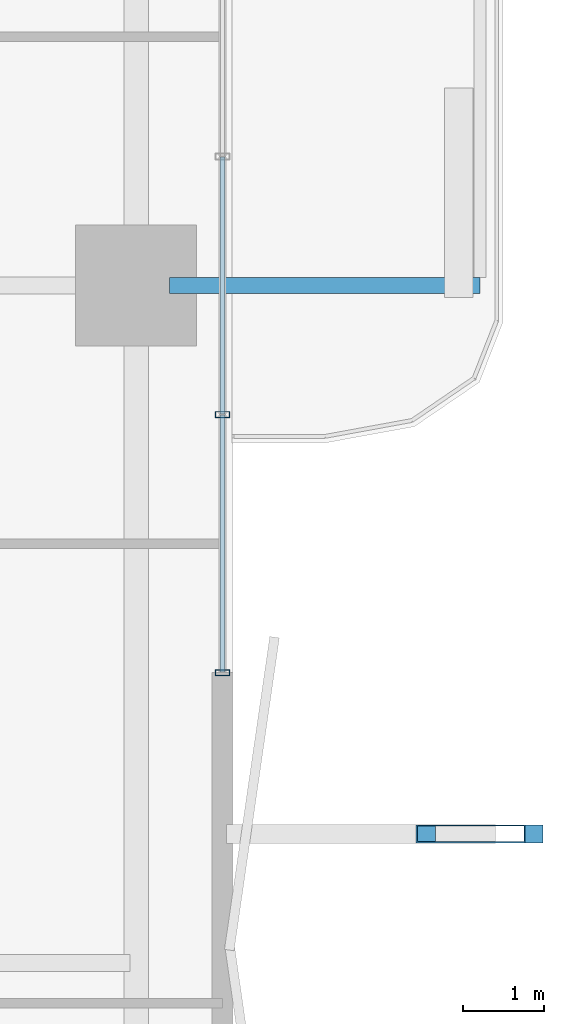
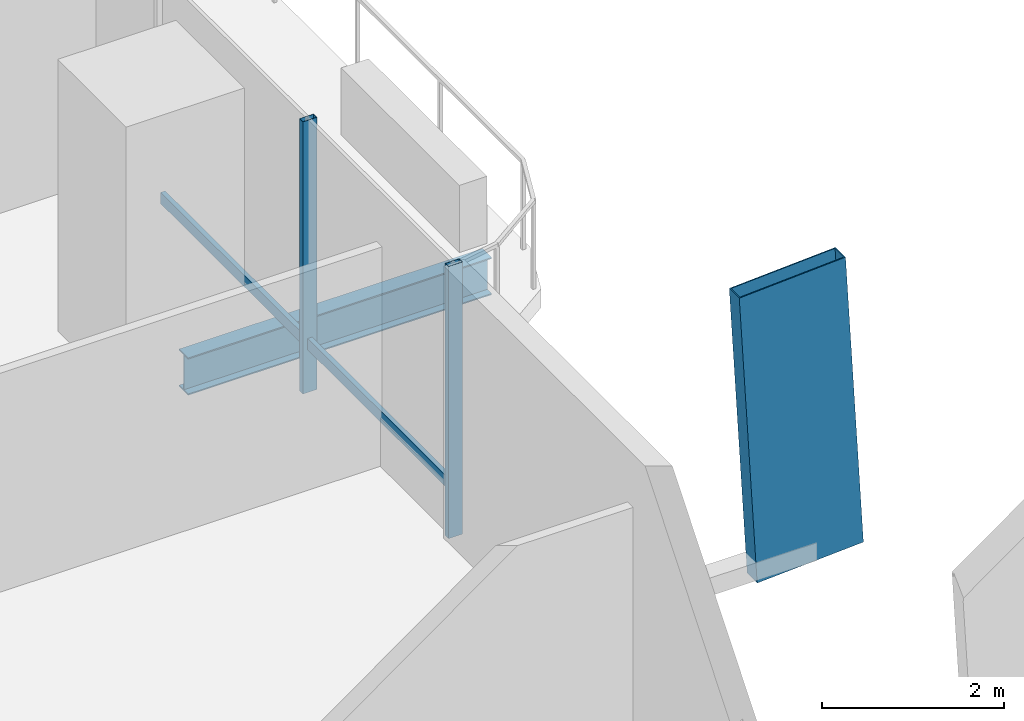
# One storey, part 8 of 24: 5 members, 1 beam, 1 element without a shape of its own.
"""IFC4 building model written with IfcOpenShell, lengths in metres."""

import ifcopenshell
import ifcopenshell.guid

model = None  # the IFC model being written
_history = None  # IfcOwnerHistory: only IFC2X3 demands one
_inside = {}  # id of a spatial element -> (the spatial element, [elements in it])
_under = {}  # id of a project, library or spatial element -> (it, [spatial elements below it])
_declared = {}  # id of a project -> (the project, [libraries it declares])
_typed = {}  # id of a type object -> (the type object, [elements of that type])
_made_of = {}  # id of a material, layer set ... -> (it, [elements and type objects made of it])


def new_model(schema):
    """Start an empty IFC model of exactly this schema.

    Asked for "IFC4X3", IfcOpenShell would pick the latest addendum, in which some entities
    have other attributes; the version numbers below select the first issue.
    IFC2X3 requires an IfcOwnerHistory on every rooted entity: one is made here for all.
    """
    global model, _history
    if schema == "IFC4X3":
        model = ifcopenshell.file(schema_version=(4, 3, 0, 0))
    else:
        model = ifcopenshell.file(schema=schema)
    _inside.clear()
    _under.clear()
    _declared.clear()
    _typed.clear()
    _made_of.clear()
    _history = None
    if model.schema == "IFC2X3":
        org = make("IfcOrganization", Name="unknown")
        user = make(
            "IfcPersonAndOrganization",
            ThePerson=make("IfcPerson", FamilyName="unknown"),
            TheOrganization=org,
        )
        app = make(
            "IfcApplication",
            ApplicationDeveloper=org,
            Version="unknown",
            ApplicationFullName="unknown",
            ApplicationIdentifier="unknown",
        )
        _history = make(
            "IfcOwnerHistory",
            OwningUser=user,
            OwningApplication=app,
            ChangeAction="ADDED",
            CreationDate=0,
        )
    return model


def make(cls, **values):
    """One entity of the class cls with the attributes given. An attribute that is None is left unset."""
    return model.create_entity(
        cls, **{name: value for name, value in values.items() if value is not None}
    )


def rooted(cls, **values):
    """An entity with a GlobalId (a new one), such as an element, a storey or a relation."""
    return make(cls, GlobalId=ifcopenshell.guid.new(), OwnerHistory=_history, **values)


def si_unit(unit_type, name, prefix=None):
    """IfcSIUnit, for example si_unit("LENGTHUNIT", "METRE", prefix="MILLI")."""
    return make("IfcSIUnit", UnitType=unit_type, Prefix=prefix, Name=name)


def assignment(units):
    """IfcUnitAssignment: the units of a project."""
    return None if units is None else make("IfcUnitAssignment", Units=units)


def point(xyz):
    """IfcCartesianPoint."""
    return None if xyz is None else make("IfcCartesianPoint", Coordinates=xyz)


def direction(xyz):
    """IfcDirection."""
    return None if xyz is None else make("IfcDirection", DirectionRatios=xyz)


def frame(location, z_axis=None, x_axis=None):
    """IfcAxis2Placement3D, a coordinate frame: its origin and axes. An axis left out is left unset."""
    return make(
        "IfcAxis2Placement3D",
        Location=point(location),
        Axis=direction(z_axis),
        RefDirection=direction(x_axis),
    )


def frame_2d(location, x_axis=None):
    """IfcAxis2Placement2D, a coordinate frame in the plane: its origin and x axis."""
    return make(
        "IfcAxis2Placement2D", Location=point(location), RefDirection=direction(x_axis)
    )


def origin():
    """The frame at (0, 0, 0) with its axes left unset."""
    return frame((0.0, 0.0, 0.0))


def origin_2d():
    """The frame at (0, 0) in the plane with its x axis left unset."""
    return frame_2d((0.0, 0.0))


def place(relative_to, where):
    """IfcLocalPlacement: puts the frame where relative to a parent placement (None: the world)."""
    return make(
        "IfcLocalPlacement", PlacementRelTo=relative_to, RelativePlacement=where
    )


def context(
    kind, dimensions, precision=None, world=None, true_north=None, identifier=None
):
    """IfcGeometricRepresentationContext, for example the 3D "Model" context."""
    return make(
        "IfcGeometricRepresentationContext",
        ContextIdentifier=identifier,
        ContextType=kind,
        CoordinateSpaceDimension=dimensions,
        Precision=precision,
        WorldCoordinateSystem=world,
        TrueNorth=true_north,
    )


def subcontext(parent, identifier, kind, view, scale=None):
    """IfcGeometricRepresentationSubContext, for example "Body" below "Model"."""
    return make(
        "IfcGeometricRepresentationSubContext",
        ContextIdentifier=identifier,
        ContextType=kind,
        ParentContext=parent,
        TargetScale=scale,
        TargetView=view,
    )


def project(units=None, contexts=None):
    """IfcProject with its units and contexts."""
    return rooted(
        "IfcProject",
        Name="project",
        RepresentationContexts=contexts,
        UnitsInContext=assignment(units),
    )


def spatial(cls, under=None, at=None, **own):
    """A site, building, storey or space (cls), placed at a placement, below another one or the project."""
    s = rooted(cls, ObjectPlacement=at, **own)
    if under is not None:
        _under.setdefault(under.id(), (under, []))[1].append(s)
    return s


def profile(cls, at=None, kind="AREA", **sizes):
    """A parametric profile (cls). Its sizes go by their IFC names, for example OverallWidth=200.0."""
    return make(cls, ProfileType=kind, Position=at, **sizes)


def hollow_rectangle(**sizes):
    """IfcRectangleHollowProfileDef."""
    return profile("IfcRectangleHollowProfileDef", **sizes)


def i_section(**sizes):
    """IfcIShapeProfileDef."""
    return profile("IfcIShapeProfileDef", **sizes)


def extrude(swept, where, along, depth):
    """IfcExtrudedAreaSolid: the profile swept, set in the frame where, extruded along a direction by depth."""
    return make(
        "IfcExtrudedAreaSolid",
        SweptArea=swept,
        Position=where,
        ExtrudedDirection=direction(along),
        Depth=depth,
    )


def shape(context_of_items, identifier, shape_type, items):
    """IfcShapeRepresentation: the items that make up one representation, for example the "Body"."""
    return make(
        "IfcShapeRepresentation",
        ContextOfItems=context_of_items,
        RepresentationIdentifier=identifier,
        RepresentationType=shape_type,
        Items=items,
    )


def material(Name=None, Category=None):
    """IfcMaterial."""
    return make("IfcMaterial", Name=Name, Category=Category)


def layer(
    of_material, thickness, ventilated=None, Name=None, Category=None, Priority=None
):
    """IfcMaterialLayer: one layer of a wall or slab, of a material (None: an air gap)."""
    return make(
        "IfcMaterialLayer",
        Material=of_material,
        LayerThickness=thickness,
        IsVentilated=ventilated,
        Name=Name,
        Category=Category,
        Priority=Priority,
    )


def layer_set(layers, Name=None):
    """IfcMaterialLayerSet."""
    return make("IfcMaterialLayerSet", MaterialLayers=layers, LayerSetName=Name)


def material_profile(
    of_material, cross_section, Name=None, Category=None, Priority=None
):
    """IfcMaterialProfile: a cross section and its material."""
    return make(
        "IfcMaterialProfile",
        Name=Name,
        Material=of_material,
        Profile=cross_section,
        Priority=Priority,
        Category=Category,
    )


def profile_set(profiles, Name=None, composite=None):
    """IfcMaterialProfileSet."""
    return make(
        "IfcMaterialProfileSet",
        Name=Name,
        MaterialProfiles=profiles,
        CompositeProfile=composite,
    )


def made_of(thing, what):
    """Note that an element or type object is made of a material, layer set ...; save() writes the relation."""
    if what is not None:
        _made_of.setdefault(what.id(), (what, []))[1].append(thing)
    return thing


def type_object(cls, material=None, **own):
    """A type object (cls), such as IfcWallType, which elements share."""
    return made_of(rooted(cls, **own), material)


def element(
    cls,
    number,
    at=None,
    inside=None,
    cuts=None,
    type_object=None,
    material=None,
    context=None,
    identifier="Body",
    shape_type=None,
    held_by="IfcProductDefinitionShape",
    body=None,
    shapes=None,
    **own,
):
    """One element of the class cls, such as IfcWall. Its Tag is "e" and its number.

    at: its placement. inside: the storey or other place that contains it. cuts: it is an
    opening in that element (IfcRelVoidsElement). A single representation is given by context,
    identifier, shape_type and body (its items); several are given by shapes. held_by: the class
    of the entity that holds the representations. save() writes the other relations.
    """
    e = rooted(cls, Tag="e%d" % number, ObjectPlacement=at, **own)
    if body is not None:
        shapes = [shape(context, identifier, shape_type, body)]
    if shapes is not None:
        e.Representation = make(held_by, Representations=shapes)
    if inside is not None:
        _inside.setdefault(inside.id(), (inside, []))[1].append(e)
    if cuts is not None:
        rooted(
            "IfcRelVoidsElement", RelatingBuildingElement=cuts, RelatedOpeningElement=e
        )
    if type_object is not None:
        _typed.setdefault(type_object.id(), (type_object, []))[1].append(e)
    return made_of(e, material)


def aggregate(whole, parts):
    """IfcRelAggregates: a whole, such as a stair, and the parts it consists of."""
    return rooted("IfcRelAggregates", RelatingObject=whole, RelatedObjects=parts)


def save(model, path):
    """Write the relations noted so far, then the file.

    IfcRelAggregates (storeys below a building ...), IfcRelContainedInSpatialStructure (elements
    in a storey), IfcRelDefinesByType, IfcRelAssociatesMaterial and IfcRelDeclares: one each for
    every whole, place, type object, material and project.
    """
    for whole, parts in _under.values():
        aggregate(whole, parts)
    for where, things in _inside.values():
        rooted(
            "IfcRelContainedInSpatialStructure",
            RelatedElements=things,
            RelatingStructure=where,
        )
    for kind, things in _typed.values():
        rooted("IfcRelDefinesByType", RelatedObjects=things, RelatingType=kind)
    for what, things in _made_of.values():
        rooted("IfcRelAssociatesMaterial", RelatedObjects=things, RelatingMaterial=what)
    for by, libraries in _declared.values():
        rooted("IfcRelDeclares", RelatingContext=by, RelatedDefinitions=libraries)
    model.write(path)


model = new_model("IFC4")

# Units and contexts
model_context = context("Model", 3, precision=1e-05, world=origin(), true_north=direction((0.0, 1.0)))
body_context = subcontext(model_context, "Body", "Model", "MODEL_VIEW")
ifc_project = project(units=[si_unit("LENGTHUNIT", "METRE"), si_unit("AREAUNIT", "SQUARE_METRE"), si_unit("VOLUMEUNIT", "CUBIC_METRE"), si_unit("PLANEANGLEUNIT", "RADIAN"), si_unit("MASSUNIT", "GRAM", prefix="KILO")], contexts=[model_context])

# Site, building, storey
site_placement = place(None, origin())
site = spatial("IfcSite", under=ifc_project, at=site_placement, CompositionType="ELEMENT")
building_placement = place(site_placement, origin())
building = spatial("IfcBuilding", under=site, at=building_placement, Name="Belovzor Exchange Tower", CompositionType="ELEMENT")
storey_placement = place(building_placement, frame((0.0, 0.0, 37.800048828125)))
storey = spatial("IfcBuildingStorey", under=building, at=storey_placement, Name="L08", CompositionType="ELEMENT", Elevation=37.800048828125)

# Member
ifc_material_1 = material(Name="Extruded Architectural Terracotta on Steel S355 Carrier", Category="masonry")
ifc_material_profile_1 = material_profile(ifc_material_1, hollow_rectangle(XDim=0.219970703125, YDim=1.35009765625, WallThickness=0.013916015625, at=origin_2d()))
ifc_profile_set_1 = profile_set([ifc_material_profile_1], Name="Extruded Architectural Terracotta on Steel S355 Carrier")
member_type_1 = type_object("IfcMemberType", Name="Base Arc Sweeping Terracotta Pylon Fin 1450", PredefinedType="USERDEFINED", material=ifc_profile_set_1)
member_1_placement = place(storey_placement, frame((59.873046875, 22.0, -0.25), z_axis=(-0.058121188646, 0.0, 0.998309534879), x_axis=(0.0, -1.0, 0.0)))
element("IfcMember", 1, at=member_1_placement, inside=storey, type_object=member_type_1, Name="FIN-TC145 Terracotta Facade Fin L08 E2", ObjectType="FIN", PredefinedType="USERDEFINED", context=body_context, shape_type="SweptSolid", body=[
    extrude(hollow_rectangle(XDim=0.219970703125, YDim=1.35009765625, WallThickness=0.013916015625, at=origin_2d()), origin(), (0.0, 0.0, 1.0), 3.906494140625),
])

# Beam
ifc_material_2 = material(Name="Steel S355", Category="steel")
ifc_material_profile_2 = material_profile(ifc_material_2, i_section(OverallWidth=0.199951171875, OverallDepth=0.5, WebThickness=0.01025390625, FlangeThickness=0.01611328125, at=origin_2d()))
ifc_profile_set_2 = profile_set([ifc_material_profile_2], Name="Steel S355")
beam_type = type_object("IfcBeamType", Name="Planted Balcony Cantilever Beam IPE 500", PredefinedType="BEAM", material=ifc_profile_set_2)
beam_placement = place(storey_placement, frame((55.9130859375, 28.800048828125, -0.5), z_axis=(1.0, 0.0, 0.0), x_axis=(0.0, 1.0, 0.0)))
element("IfcBeam", 2, at=beam_placement, inside=storey, type_object=beam_type, Name="BC-500 Planted Balcony Cantilever Beam IPE 500", PredefinedType="BEAM", context=body_context, shape_type="SweptSolid", body=[
    extrude(i_section(OverallWidth=0.199951171875, OverallDepth=0.5, WebThickness=0.01025390625, FlangeThickness=0.01611328125, at=origin_2d()), origin(), (0.0, 0.0, 1.0), 3.849853515625),
])

# Curtain wall, members
ifc_material_3 = material(Name="Anodised Aluminium Framing", Category="aluminium")
ifc_layer = layer(ifc_material_3, 0.179931640625)
ifc_layer_set = layer_set([ifc_layer], Name="Anodised Aluminium Framing")
curtain_wall_type = type_object("IfcCurtainWallType", Name="Recessed Loggia Low-Iron Triple-Glazed Curtain Wall", PredefinedType="NOTDEFINED", material=ifc_layer_set)
curtain_wall_placement = place(storey_placement, origin())
curtain_wall = element("IfcCurtainWall", 3, at=curtain_wall_placement, inside=storey, type_object=curtain_wall_type, Name="CW3 Recessed Loggia Low-Iron Triple-Glazed Curtain Wall L08", PredefinedType="NOTDEFINED")
ifc_material_4 = material(Name="Steel S355", Category="steel")
ifc_material_profile_3 = material_profile(ifc_material_4, hollow_rectangle(XDim=0.074951171875, YDim=0.179931640625, WallThickness=0.0048828125, at=origin_2d()))
ifc_profile_set_3 = profile_set([ifc_material_profile_3], Name="Steel S355")
member_type_2 = type_object("IfcMemberType", Name="Thermally Broken Curtain Wall Mullion 180x75", PredefinedType="MULLION", material=ifc_profile_set_3)
member_2_placement = place(storey_placement, frame((56.570068359375, 27.199951171875, 0.0), z_axis=(0.0, 0.0, 1.0), x_axis=(0.0, -1.0, 0.0)))
member_2 = element("IfcMember", 4, at=member_2_placement, type_object=member_type_2, Name="CW-M180 Curtain Wall Mullion 3", PredefinedType="MULLION", context=body_context, shape_type="SweptSolid", body=[
    extrude(hollow_rectangle(XDim=0.074951171875, YDim=0.179931640625, WallThickness=0.0048828125, at=origin_2d()), origin(), (0.0, 0.0, 1.0), 3.64990234375),
])
member_3_placement = place(storey_placement, frame((56.570068359375, 24.0, 0.0), z_axis=(0.0, 0.0, 1.0), x_axis=(0.0, -1.0, 0.0)))
member_3 = element("IfcMember", 5, at=member_3_placement, type_object=member_type_2, Name="CW-M180 Curtain Wall Mullion 4", PredefinedType="MULLION", context=body_context, shape_type="SweptSolid", body=[
    extrude(hollow_rectangle(XDim=0.074951171875, YDim=0.179931640625, WallThickness=0.0048828125, at=origin_2d()), origin(), (0.0, 0.0, 1.0), 3.64990234375),
])
ifc_material_5 = material(Name="Steel S355", Category="steel")
ifc_material_profile_4 = material_profile(ifc_material_5, hollow_rectangle(XDim=0.06005859375, YDim=0.14990234375, WallThickness=0.00390625, at=origin_2d()))
ifc_profile_set_4 = profile_set([ifc_material_profile_4], Name="Steel S355")
member_type_3 = type_object("IfcMemberType", Name="Thermally Broken Curtain Wall Transom 150x60", PredefinedType="USERDEFINED", material=ifc_profile_set_4)
member_4_placement = place(storey_placement, frame((56.570068359375, 30.39208984375, 0.64990234375), z_axis=(0.0, -1.0, 0.0), x_axis=(1.0, 0.0, 0.0)))
member_4 = element("IfcMember", 6, at=member_4_placement, type_object=member_type_3, Name="CW-T150 Curtain Wall Transom 2", ObjectType="TRANSOM", PredefinedType="USERDEFINED", context=body_context, shape_type="SweptSolid", body=[
    extrude(hollow_rectangle(XDim=0.06005859375, YDim=0.14990234375, WallThickness=0.00390625, at=origin_2d()), origin(), (0.0, 0.0, 1.0), 3.18408203125),
])
member_5_placement = place(storey_placement, frame((56.570068359375, 27.19189453125, 0.64990234375), z_axis=(0.0, -1.0, 0.0), x_axis=(1.0, 0.0, 0.0)))
member_5 = element("IfcMember", 7, at=member_5_placement, type_object=member_type_3, Name="CW-T150 Curtain Wall Transom 3", ObjectType="TRANSOM", PredefinedType="USERDEFINED", context=body_context, shape_type="SweptSolid", body=[
    extrude(hollow_rectangle(XDim=0.06005859375, YDim=0.14990234375, WallThickness=0.00390625, at=origin_2d()), origin(), (0.0, 0.0, 1.0), 3.183837890625),
])
aggregate(curtain_wall, [member_2, member_3, member_4, member_5])

save(model, "model.ifc")
